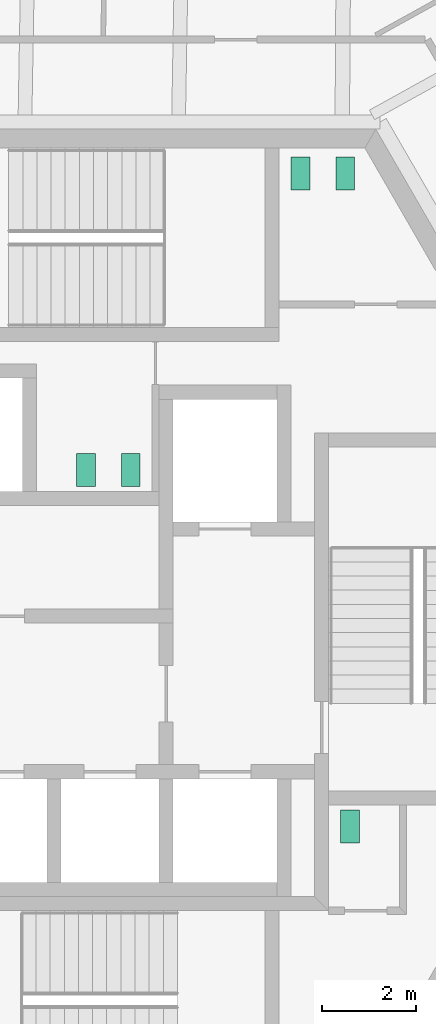
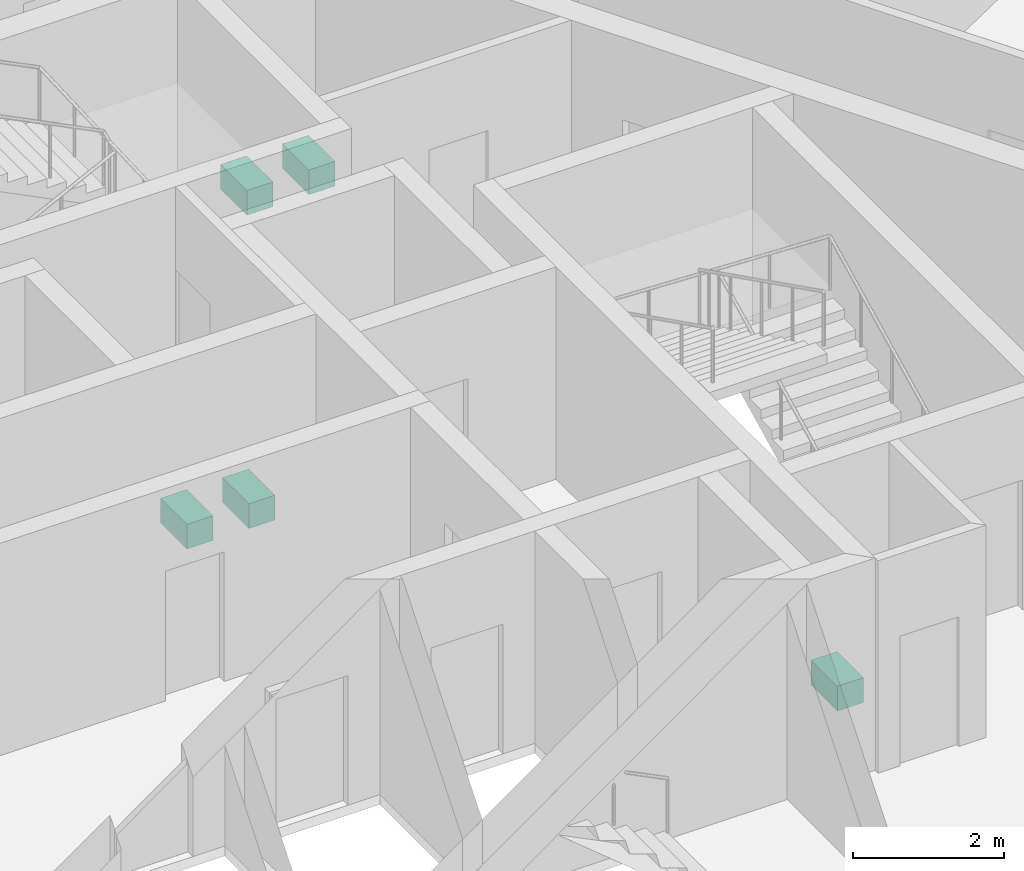
# One storey, part 20 of 22: 5 sanitary terminals.
"""IFC4 building model written with IfcOpenShell, lengths in metres."""

from ifc_helpers import new_model, si_unit, direction, frame, origin, origin_2d, place, context, subcontext, project, spatial, rectangle, extrude, source, transform, mapped, material, element, save


model = new_model("IFC4")

# Units and contexts
model_context = context("Model", 3, precision=1e-05, world=origin(), true_north=direction((0.0, 1.0)))
body_context = subcontext(model_context, "Body", "Model", "MODEL_VIEW")
ifc_project = project(units=[si_unit("LENGTHUNIT", "METRE"), si_unit("AREAUNIT", "SQUARE_METRE"), si_unit("VOLUMEUNIT", "CUBIC_METRE"), si_unit("PLANEANGLEUNIT", "RADIAN"), si_unit("MASSUNIT", "GRAM", prefix="KILO")], contexts=[model_context])

# Site, building, storey
site_placement = place(None, origin())
site = spatial("IfcSite", under=ifc_project, at=site_placement, CompositionType="ELEMENT")
building_placement = place(site_placement, origin())
building = spatial("IfcBuilding", under=site, at=building_placement, Name="Triune Harvest Tower", CompositionType="ELEMENT")
storey_placement = place(building_placement, frame((0.0, 0.0, 208.699951171875)))
storey = spatial("IfcBuildingStorey", under=building, at=storey_placement, Name="L54", CompositionType="ELEMENT", Elevation=208.699951171875)

# Sanitary terminals
ifc_material = material(Name="Vitreous china")
shared_shape = source(origin(), body_context, "Body", "SweptSolid", [
    extrude(rectangle(XDim=0.39990234375, YDim=0.699951171875, at=origin_2d()), origin(), (0.0, 0.0, 1.0), 0.39990234375),
])
for number, where, z_axis, x_axis, name in (
    (1, (4.39990234375, 9.449951171875, 0.0), (0.0, 0.0, 1.0), (1.0, 0.0, 0.0), "Toilet pan L54.c01"),
    (2, (5.35009765625, 9.449951171875, 0.0), (0.0, 0.0, 1.0), (1.0, 0.0, 0.0), "Toilet pan L54.c02"),
    (3, (0.800048828125, 3.159912109375, 0.0), (0.0, 0.0, 1.0), (-1.0, 0.0, 0.0), "Toilet pan L54.c03"),
    (4, (-0.14990234375, 3.159912109375, 0.0), (0.0, 0.0, 1.0), (-1.0, 0.0, 0.0), "Toilet pan L54.c04"),
    (5, (5.449951171875, -4.39990234375, 0.0), (0.0, 0.0, 1.0), (1.0, 0.0, 0.0), "Toilet pan L54.c05"),
):
    element("IfcSanitaryTerminal", number, at=place(storey_placement, frame(where, z_axis=z_axis, x_axis=x_axis)), inside=storey, material=ifc_material, Name=name, PredefinedType="TOILETPAN", context=body_context, shape_type="MappedRepresentation", body=[
        mapped(shared_shape, transform((0.0, 0.0, 0.0), scale=1.0)),
    ])

save(model, "model.ifc")
